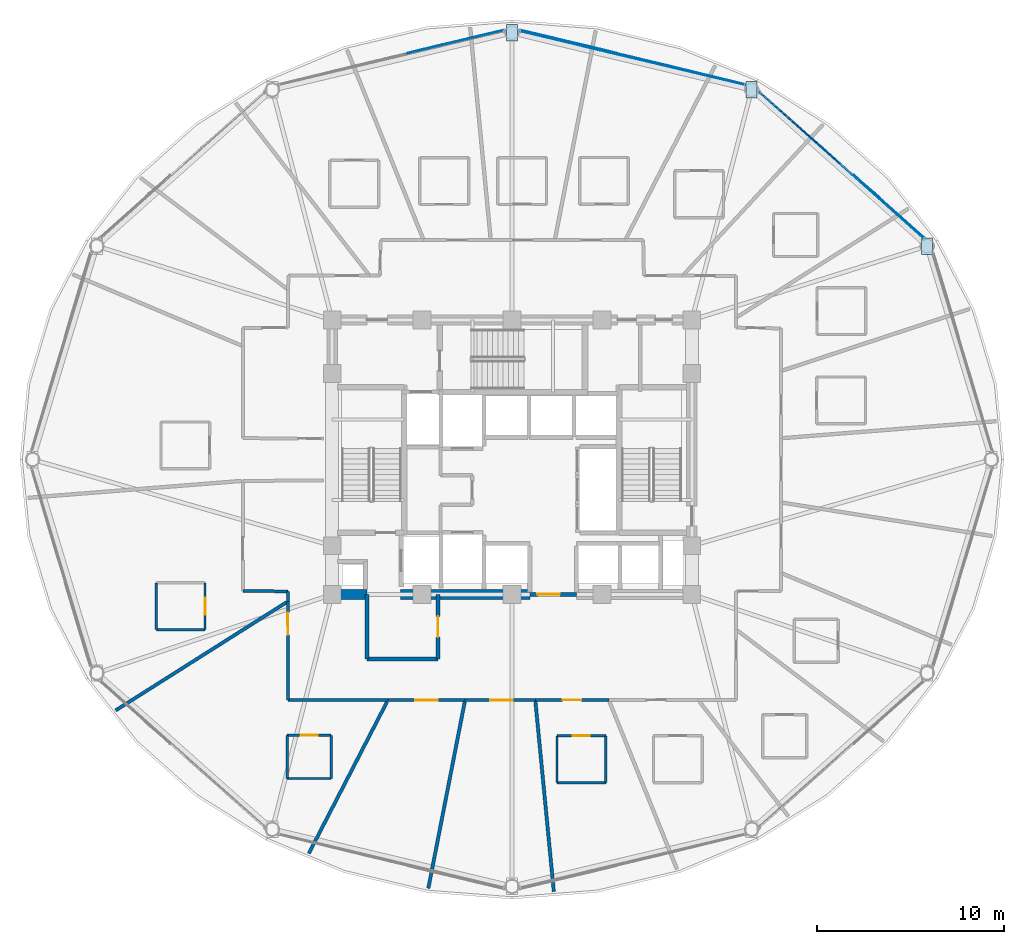
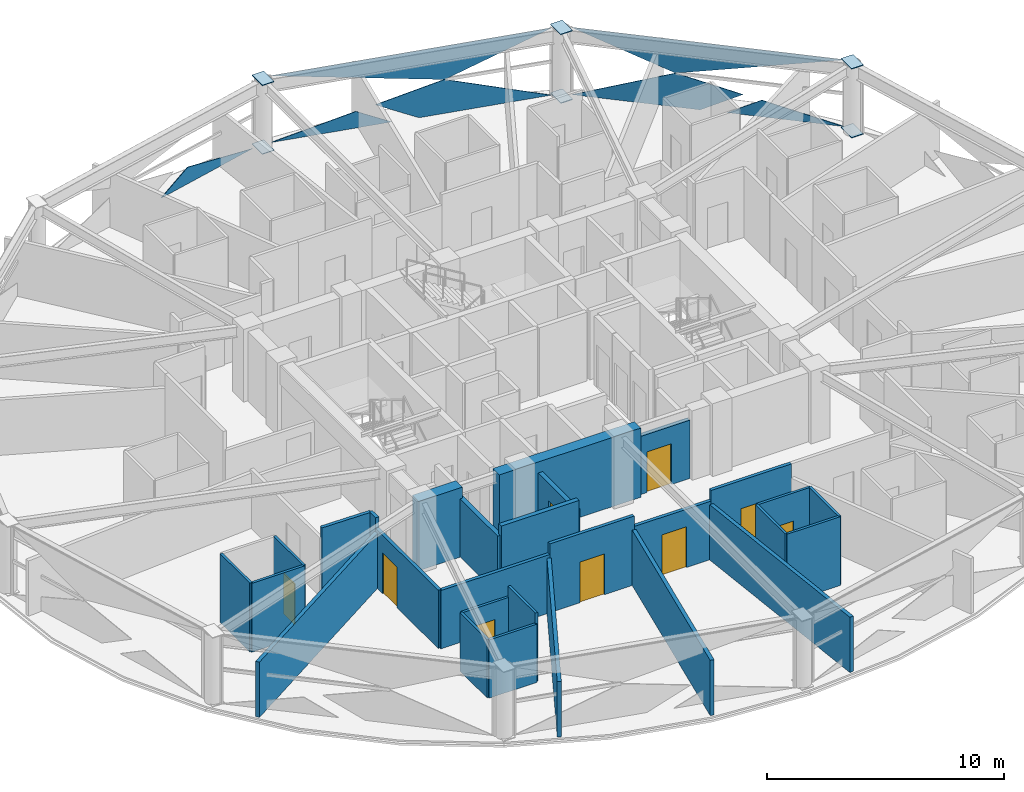
# One storey, part 24 of 32: 28 walls, 13 plates, 9 doors, 9 openings, 3 elements without a shape of their own.
"""IFC4 building model written with IfcOpenShell, lengths in metres."""

from ifc_helpers import new_model, si_unit, direction, frame, frame_2d, origin, place, context, subcontext, project, spatial, polyline, rectangle, outline, extrude, material, layer, layer_set, type_object, element, fill, aggregate, save


model = new_model("IFC4")

# Units and contexts
model_context = context("Model", 3, precision=1e-05, world=origin(), true_north=direction((0.0, 1.0)))
body_context = subcontext(model_context, "Body", "Model", "MODEL_VIEW")
ifc_project = project(units=[si_unit("LENGTHUNIT", "METRE"), si_unit("AREAUNIT", "SQUARE_METRE"), si_unit("VOLUMEUNIT", "CUBIC_METRE"), si_unit("PLANEANGLEUNIT", "RADIAN"), si_unit("MASSUNIT", "GRAM", prefix="KILO")], contexts=[model_context])

# Site, building, storey
site_placement = place(None, origin())
site = spatial("IfcSite", under=ifc_project, at=site_placement, CompositionType="ELEMENT")
building_placement = place(site_placement, origin())
building = spatial("IfcBuilding", under=site, at=building_placement, Name="Vantalir Tower", CompositionType="ELEMENT")
storey_placement = place(building_placement, frame((0.0, 0.0, 108.449951171875)))
storey = spatial("IfcBuildingStorey", under=building, at=storey_placement, Name="L26", CompositionType="ELEMENT", Elevation=108.449951171875)

# Curtain wall, plates
ifc_material_1 = material(Name="Champagne-silver PVDF aluminium and double-silver Low-E glass", Category="aluminium")
ifc_layer_1 = layer(ifc_material_1, 0.199951171875)
ifc_layer_set_1 = layer_set([ifc_layer_1], Name="Champagne-silver PVDF aluminium and double-silver Low-E glass")
curtain_wall_type = type_object("IfcCurtainWallType", Name="CW-DIAMOND-Z2", PredefinedType="USERDEFINED", material=ifc_layer_set_1)
curtain_wall_1_placement = place(storey_placement, origin())
curtain_wall_1 = element("IfcCurtainWall", 1, at=curtain_wall_1_placement, inside=storey, type_object=curtain_wall_type, Name="L26 Quilted Pyramid-Diamond Curtain Wall S02", ObjectType="UNITISED CURTAIN WALL", PredefinedType="USERDEFINED")
ifc_material_2 = material(Name="Double-silver Low-E laminated glass IGU", Category="glass")
ifc_layer_2 = layer(ifc_material_2, 0.028076171875)
ifc_layer_set_2 = layer_set([ifc_layer_2], Name="Double-silver Low-E laminated glass IGU")
plate_type_1 = type_object("IfcPlateType", Name="CWP-IGU-28", PredefinedType="CURTAIN_PANEL", material=ifc_layer_set_2)
plate_1_placement = place(storey_placement, frame((48.85498046875, 40.918701171875, 0.046630859375), z_axis=(-0.665360091783, -0.74639648359, 0.013719968929), x_axis=(-0.746466739083, 0.665422728378, 4.76215e-07)))
plate_1 = element("IfcPlate", 2, at=plate_1_placement, type_object=plate_type_1, Name="CW-L26-S02 Pyramid Diamond Facet 1L", PredefinedType="CURTAIN_PANEL", context=body_context, shape_type="SweptSolid", body=[
    extrude(outline(polyline([(0.0, 0.0), (5.5281666248014485, 0.0), (1.0634677225929112, -1.726968682009941), (-1.833063867424482, -1.038431324138312), (0.0, 0.0)])), origin(), (0.0, 0.0, -1.0), 0.028076171875),
])
plate_2_placement = place(storey_placement, frame((53.505615234375, 36.815673828125, 0.0458984375), z_axis=(-0.665386826305, -0.746372088611, 0.013750517136), x_axis=(-0.746442215785, 0.66545023567, 4.8382306e-05)))
plate_2 = element("IfcPlate", 3, at=plate_2_placement, type_object=plate_type_1, Name="CW-L26-S02 Pyramid Diamond Facet 1L Infill Light", PredefinedType="CURTAIN_PANEL", context=body_context, shape_type="SweptSolid", body=[
    extrude(outline(polyline([(0.0, 0.0), (5.0460725329387595, -1.2739375526704677e-17), (3.5545540510403315, -0.8448786038065937), (0.0, 0.0)])), origin(), (0.0, 0.0, -1.0), 0.028076171875),
])
plate_3_placement = place(storey_placement, frame((44.728515625, 44.597412109375, 3.5234375), z_axis=(0.665380669575, 0.746378894422, 0.013678834638), x_axis=(0.746448542261, -0.665443140564, 2.081331e-05)))
plate_3 = element("IfcPlate", 4, at=plate_3_placement, type_object=plate_type_1, Name="CW-L26-S02 Pyramid Diamond Facet 2U", PredefinedType="CURTAIN_PANEL", context=body_context, shape_type="SweptSolid", body=[
    extrude(outline(polyline([(0.0, 0.0), (11.730024079727377, -8.131516293641283e-19), (4.464663138664101, 1.7270611486271994), (0.0, 0.0)])), origin(), (0.0, 0.0, -1.0), 0.028076171875),
])
aggregate(curtain_wall_1, [plate_1, plate_2, plate_3])

curtain_wall_2_placement = place(storey_placement, origin())
curtain_wall_2 = element("IfcCurtainWall", 5, at=curtain_wall_2_placement, inside=storey, type_object=curtain_wall_type, Name="L26 Quilted Pyramid-Diamond Curtain Wall S03", ObjectType="UNITISED CURTAIN WALL", PredefinedType="USERDEFINED")
plate_4_placement = place(storey_placement, frame((43.946533203125, 45.005615234375, 0.046630859375), z_axis=(-0.23226145052, -0.972558044793, 0.013618667742), x_axis=(-0.972648377803, 0.232282438885, -4.174218e-05)))
plate_4 = element("IfcPlate", 6, at=plate_4_placement, type_object=plate_type_1, Name="CW-L26-S03 Pyramid Diamond Facet 1L", PredefinedType="CURTAIN_PANEL", context=body_context, shape_type="SweptSolid", body=[
    extrude(outline(polyline([(0.0, 0.0), (5.82461301879064, -4.30970363562988e-18), (7.74586519741494, -1.0380172504692702), (4.692850625437088, -1.727407878116454), (0.0, 0.0)])), origin(), (0.0, 0.0, -1.0), 0.028076171875),
])
plate_5_placement = place(storey_placement, frame((37.1240234375, 46.667724609375, 0.0458984375), z_axis=(-0.232295294246, -0.972547248314, 0.013811084997), x_axis=(-0.972640016367, 0.232317452123, 0.0)))
plate_5 = element("IfcPlate", 7, at=plate_5_placement, type_object=plate_type_1, Name="CW-L26-S03 Pyramid Diamond Facet 1L Infill Light", PredefinedType="CURTAIN_PANEL", context=body_context, shape_type="SweptSolid", body=[
    extrude(outline(polyline([(0.0, 0.0), (5.319616896855435, 0.0), (1.5683330910401547, -0.8472487772904425), (0.0, 0.0)])), origin(), (0.0, 0.0, -1.0), 0.028076171875),
])
plate_6_placement = place(storey_placement, frame((31.942626953125, 47.872314453125, 3.523681640625), z_axis=(0.232260523189, 0.972557634169, 0.013663732563), x_axis=(0.972648496566, -0.23228194449, -1.9782145e-05)))
plate_6 = element("IfcPlate", 8, at=plate_6_placement, type_object=plate_type_1, Name="CW-L26-S03 Pyramid Diamond Facet 2U", PredefinedType="CURTAIN_PANEL", context=body_context, shape_type="SweptSolid", body=[
    extrude(outline(polyline([(0.0, 0.0), (12.341463840613704, 1.2197274440461925e-18), (7.648575297909645, 1.7273048663411104), (0.0, 0.0)])), origin(), (0.0, 0.0, -1.0), 0.028076171875),
])
aggregate(curtain_wall_2, [plate_4, plate_5, plate_6])

# Curtain wall, plate
curtain_wall_3_placement = place(storey_placement, origin())
curtain_wall_3 = element("IfcCurtainWall", 9, at=curtain_wall_3_placement, inside=storey, type_object=curtain_wall_type, Name="L26 Quilted Pyramid-Diamond Curtain Wall S04", ObjectType="UNITISED CURTAIN WALL", PredefinedType="USERDEFINED")
plate_7_placement = place(storey_placement, frame((31.050048828125, 47.903564453125, 0.0458984375), z_axis=(0.232295294246, -0.972547248314, 0.013811084997), x_axis=(-0.972640016367, -0.232317452123, 0.0)))
plate_7 = element("IfcPlate", 10, at=plate_7_placement, type_object=plate_type_1, Name="CW-L26-S04 Pyramid Diamond Facet 1L Infill Light", PredefinedType="CURTAIN_PANEL", context=body_context, shape_type="SweptSolid", body=[
    extrude(outline(polyline([(0.0, 0.0), (5.319616896855435, 0.0), (3.75128380581528, -0.8472487772904425), (0.0, 0.0)])), origin(), (0.0, 0.0, -1.0), 0.028076171875),
])
aggregate(curtain_wall_3, [plate_7])

# Plates
ifc_material_3 = material(Name="Steel S460", Category="steel")
ifc_layer_3 = layer(ifc_material_3, 0.035888671875)
ifc_layer_set_3 = layer_set([ifc_layer_3], Name="Steel S460")
plate_type_2 = type_object("IfcPlateType", Name="PLT-KN-Z2", PredefinedType="USERDEFINED", material=ifc_layer_set_3)
for number, where, z_axis, x_axis, name in (
    (11, (53.3701171875, 36.833984375, 3.59814453125), (0.0, 0.0, 1.0), (0.0, -1.0, 0.0), "L26 Ring Column Top Cap RC02"),
    (12, (53.3701171875, 36.833984375, 0.052978515625), (0.0, 0.0, 1.0), (0.0, -1.0, 0.0), "L26 Ring Column Base Cap RC02"),
):
    element("IfcPlate", number, at=place(storey_placement, frame(where, z_axis=z_axis, x_axis=x_axis)), inside=storey, type_object=plate_type_2, Name=name, ObjectType="FLANGE_PLATE", PredefinedType="USERDEFINED", context=body_context, shape_type="SweptSolid", body=[
        extrude(outline(polyline([(0.0, 0.0), (0.8798828125, 0.0), (0.8798828125, 0.579833984375), (0.0, 0.579833984375), (0.0, 0.0)])), origin(), (0.0, 0.0, -1.0), 0.035888671875),
    ])
for number, where, z_axis, x_axis, name in (
    (13, (44.00390625, 45.175048828125, 3.59814453125), (0.0, 0.0, 1.0), (0.0, -1.0, 0.0), "L26 Ring Column Top Cap RC03"),
    (14, (44.00390625, 45.175048828125, 0.052978515625), (0.0, 0.0, 1.0), (0.0, -1.0, 0.0), "L26 Ring Column Base Cap RC03"),
    (15, (31.2099609375, 48.22802734375, 3.59814453125), (0.0, 0.0, 1.0), (0.0, -1.0, 0.0), "L26 Ring Column Top Cap RC04"),
    (16, (31.2099609375, 48.22802734375, 0.052978515625), (0.0, 0.0, 1.0), (0.0, -1.0, 0.0), "L26 Ring Column Base Cap RC04"),
):
    element("IfcPlate", number, at=place(storey_placement, frame(where, z_axis=z_axis, x_axis=x_axis)), inside=storey, type_object=plate_type_2, Name=name, ObjectType="FLANGE_PLATE", PredefinedType="USERDEFINED", context=body_context, shape_type="SweptSolid", body=[
        extrude(outline(polyline([(0.0, 0.0), (0.880126953125, 0.0), (0.880126953125, 0.580078125), (0.0, 0.580078125), (0.0, 0.0)])), origin(), (0.0, 0.0, -1.0), 0.035888671875),
    ])

# Walls
ifc_material_4 = material(Name="Moisture-resistant en-suite partition", Category="gypsum")
ifc_layer_4 = layer(ifc_material_4, 0.125)
ifc_layer_set_4 = layer_set([ifc_layer_4], Name="Moisture-resistant en-suite partition")
wall_type_1 = type_object("IfcWallType", Name="WL-BATH-125", PredefinedType="PARTITIONING", material=ifc_layer_set_4)
wall_1_placement = place(storey_placement, frame((12.513916015625, 15.9208984375, 0.0), z_axis=(0.0, 0.0, 1.0), x_axis=(1.0, 0.0, 0.0)))
element("IfcWall", 17, at=wall_1_placement, inside=storey, type_object=wall_type_1, Name="L26 En-suite 12 South Wall", PredefinedType="PARTITIONING", context=body_context, shape_type="SweptSolid", body=[
    extrude(rectangle(XDim=2.60009765625, YDim=0.125, at=frame_2d((1.300048828125, 0.0))), origin(), (0.0, 0.0, 1.0), 3.550048828125),
])
wall_2_placement = place(storey_placement, frame((12.513916015625, 15.9208984375, 0.0), z_axis=(0.0, 0.0, 1.0), x_axis=(0.0, 1.0, 0.0)))
element("IfcWall", 18, at=wall_2_placement, inside=storey, type_object=wall_type_1, Name="L26 En-suite 12 West Wall", PredefinedType="PARTITIONING", context=body_context, shape_type="SweptSolid", body=[
    extrude(rectangle(XDim=2.5, YDim=0.125, at=frame_2d((1.25, 0.0))), origin(), (0.0, 0.0, 1.0), 3.550048828125),
])

# Wall, opening, door
wall_3_placement = place(storey_placement, frame((15.114013671875, 15.9208984375, 0.0), z_axis=(0.0, 0.0, 1.0), x_axis=(0.0, 1.0, 0.0)))
wall_3 = element("IfcWall", 19, at=wall_3_placement, inside=storey, type_object=wall_type_1, Name="L26 En-suite 12 East Wall", PredefinedType="PARTITIONING", context=body_context, shape_type="SweptSolid", body=[
    extrude(rectangle(XDim=2.5, YDim=0.125, at=frame_2d((1.25, 0.0))), origin(), (0.0, 0.0, 1.0), 3.550048828125),
])
opening_1_placement = place(wall_3_placement, frame((0.800048828125, 0.0, 0.0)))
opening_1 = element("IfcOpeningElement", 20, at=opening_1_placement, cuts=wall_3, Name="Opening D-WC", PredefinedType="OPENING", context=body_context, shape_type="SweptSolid", body=[
    extrude(rectangle(XDim=0.89990234375, YDim=2.10009765625, at=frame_2d((0.449951171875, 1.050048828125))), frame((0.0, 0.072509765625, 0.0), z_axis=(0.0, -1.0, 0.0), x_axis=(1.0, 0.0, 0.0)), (0.0, 0.0, 1.0), 0.14501953125),
])
ifc_material_5 = material(Name="Moisture-resistant hardwood door", Category="wood")
door_type_1 = type_object("IfcDoorType", Name="DR-ENSUITE-900", OperationType="NOTDEFINED", PredefinedType="DOOR", material=ifc_material_5)
door_1_placement = place(opening_1_placement, origin())
door_1 = element("IfcDoor", 21, at=door_1_placement, inside=storey, type_object=door_type_1, Name="L26 En-suite 12 Door", OperationType="SINGLE_SWING_LEFT", OverallHeight=2.10009765625, OverallWidth=0.89990234375, PredefinedType="DOOR", context=body_context, shape_type="SweptSolid", body=[
    extrude(rectangle(XDim=0.89990234375, YDim=2.10009765625, at=frame_2d((0.449951171875, 1.050048828125))), frame((0.0, 0.02490234375, 0.0), z_axis=(0.0, -1.0, 0.0), x_axis=(1.0, 0.0, 0.0)), (0.0, 0.0, 1.0), 0.050048828125),
])
fill(opening_1, door_1)

# Wall
wall_4_placement = place(storey_placement, frame((19.5, 7.97509765625, 0.0), z_axis=(0.0, 0.0, 1.0), x_axis=(1.0, 0.0, 0.0)))
element("IfcWall", 22, at=wall_4_placement, inside=storey, type_object=wall_type_1, Name="L26 En-suite 13 South Wall", PredefinedType="PARTITIONING", context=body_context, shape_type="SweptSolid", body=[
    extrude(rectangle(XDim=2.35009765625, YDim=0.125, at=frame_2d((1.175048828125, 0.0))), origin(), (0.0, 0.0, 1.0), 3.006103515625),
])

# Wall, opening, door
wall_5_placement = place(storey_placement, frame((19.5, 10.27490234375, 0.0), z_axis=(0.0, 0.0, 1.0), x_axis=(1.0, 0.0, 0.0)))
wall_5 = element("IfcWall", 23, at=wall_5_placement, inside=storey, type_object=wall_type_1, Name="L26 En-suite 13 North Wall", PredefinedType="PARTITIONING", context=body_context, shape_type="SweptSolid", body=[
    extrude(rectangle(XDim=2.35009765625, YDim=0.125, at=frame_2d((1.175048828125, 0.0))), origin(), (0.0, 0.0, 1.0), 3.006103515625),
])
opening_2_placement = place(wall_5_placement, frame((0.72509765625, 0.0, 0.0)))
opening_2 = element("IfcOpeningElement", 24, at=opening_2_placement, cuts=wall_5, Name="Opening D-WC", PredefinedType="OPENING", context=body_context, shape_type="SweptSolid", body=[
    extrude(rectangle(XDim=0.89990234375, YDim=2.10009765625, at=frame_2d((0.449951171875, 1.050048828125))), frame((0.0, 0.072509765625, 0.0), z_axis=(0.0, -1.0, 0.0), x_axis=(1.0, 0.0, 0.0)), (0.0, 0.0, 1.0), 0.14501953125),
])
door_2_placement = place(opening_2_placement, frame((0.89990234375, 0.0, 0.0), z_axis=(0.0, 0.0, 1.0), x_axis=(-1.0, 0.0, 0.0)))
door_2 = element("IfcDoor", 25, at=door_2_placement, inside=storey, type_object=door_type_1, Name="L26 En-suite 13 Door", OperationType="SINGLE_SWING_RIGHT", OverallHeight=2.10009765625, OverallWidth=0.89990234375, PredefinedType="DOOR", context=body_context, shape_type="SweptSolid", body=[
    extrude(rectangle(XDim=0.89990234375, YDim=2.10009765625, at=frame_2d((0.449951171875, 1.050048828125))), frame((0.0, 0.02490234375, 0.0), z_axis=(0.0, -1.0, 0.0), x_axis=(1.0, 0.0, 0.0)), (0.0, 0.0, 1.0), 0.050048828125),
])
fill(opening_2, door_2)

# Walls
wall_6_placement = place(storey_placement, frame((19.5, 7.97509765625, 0.0), z_axis=(0.0, 0.0, 1.0), x_axis=(0.0, 1.0, 0.0)))
element("IfcWall", 26, at=wall_6_placement, inside=storey, type_object=wall_type_1, Name="L26 En-suite 13 West Wall", PredefinedType="PARTITIONING", context=body_context, shape_type="SweptSolid", body=[
    extrude(rectangle(XDim=2.2998046875, YDim=0.125, at=frame_2d((1.14990234375, 0.0))), origin(), (0.0, 0.0, 1.0), 3.006103515625),
])
wall_7_placement = place(storey_placement, frame((21.85009765625, 7.97509765625, 0.0), z_axis=(0.0, 0.0, 1.0), x_axis=(0.0, 1.0, 0.0)))
element("IfcWall", 27, at=wall_7_placement, inside=storey, type_object=wall_type_1, Name="L26 En-suite 13 East Wall", PredefinedType="PARTITIONING", context=body_context, shape_type="SweptSolid", body=[
    extrude(rectangle(XDim=2.2998046875, YDim=0.125, at=frame_2d((1.14990234375, 0.0))), origin(), (0.0, 0.0, 1.0), 3.550048828125),
])
wall_8_placement = place(storey_placement, frame((33.905029296875, 7.7490234375, 0.0), z_axis=(0.0, 0.0, 1.0), x_axis=(1.0, 0.0, 0.0)))
element("IfcWall", 28, at=wall_8_placement, inside=storey, type_object=wall_type_1, Name="L26 En-suite 16 South Wall", PredefinedType="PARTITIONING", context=body_context, shape_type="SweptSolid", body=[
    extrude(rectangle(XDim=2.599853515625, YDim=0.125, at=frame_2d((1.2998046875, 0.0))), origin(), (0.0, 0.0, 1.0), 3.550048828125),
])

# Wall, opening, door
wall_9_placement = place(storey_placement, frame((33.905029296875, 10.2490234375, 0.0), z_axis=(0.0, 0.0, 1.0), x_axis=(1.0, 0.0, 0.0)))
wall_9 = element("IfcWall", 29, at=wall_9_placement, inside=storey, type_object=wall_type_1, Name="L26 En-suite 16 North Wall", PredefinedType="PARTITIONING", context=body_context, shape_type="SweptSolid", body=[
    extrude(rectangle(XDim=2.599853515625, YDim=0.125, at=frame_2d((1.2998046875, 0.0))), origin(), (0.0, 0.0, 1.0), 3.550048828125),
])
opening_3_placement = place(wall_9_placement, frame((0.85009765625, 0.0, 0.0)))
opening_3 = element("IfcOpeningElement", 30, at=opening_3_placement, cuts=wall_9, Name="Opening D-WC", PredefinedType="OPENING", context=body_context, shape_type="SweptSolid", body=[
    extrude(rectangle(XDim=0.89990234375, YDim=2.10009765625, at=frame_2d((0.449951171875, 1.050048828125))), frame((0.0, 0.072509765625, 0.0), z_axis=(0.0, -1.0, 0.0), x_axis=(1.0, 0.0, 0.0)), (0.0, 0.0, 1.0), 0.14501953125),
])
door_3_placement = place(opening_3_placement, frame((0.89990234375, 0.0, 0.0), z_axis=(0.0, 0.0, 1.0), x_axis=(-1.0, 0.0, 0.0)))
door_3 = element("IfcDoor", 31, at=door_3_placement, inside=storey, type_object=door_type_1, Name="L26 En-suite 16 Door", OperationType="SINGLE_SWING_LEFT", OverallHeight=2.10009765625, OverallWidth=0.89990234375, PredefinedType="DOOR", context=body_context, shape_type="SweptSolid", body=[
    extrude(rectangle(XDim=0.89990234375, YDim=2.10009765625, at=frame_2d((0.449951171875, 1.050048828125))), frame((0.0, 0.02490234375, 0.0), z_axis=(0.0, -1.0, 0.0), x_axis=(1.0, 0.0, 0.0)), (0.0, 0.0, 1.0), 0.050048828125),
])
fill(opening_3, door_3)

# Walls
for number, where, z_axis, x_axis, name in (
    (32, (33.905029296875, 7.7490234375, 0.0), (0.0, 0.0, 1.0), (0.0, 1.0, 0.0), "L26 En-suite 16 West Wall"),
    (33, (36.5048828125, 7.7490234375, 0.0), (0.0, 0.0, 1.0), (0.0, 1.0, 0.0), "L26 En-suite 16 East Wall"),
):
    element("IfcWall", number, at=place(storey_placement, frame(where, z_axis=z_axis, x_axis=x_axis)), inside=storey, type_object=wall_type_1, Name=name, PredefinedType="PARTITIONING", context=body_context, shape_type="SweptSolid", body=[
        extrude(rectangle(XDim=2.5, YDim=0.125, at=frame_2d((1.25, 0.0))), origin(), (0.0, 0.0, 1.0), 3.550048828125),
    ])
ifc_material_6 = material(Name="Concrete C60/75", Category="concrete")
ifc_layer_5 = layer(ifc_material_6, 0.550048828125)
ifc_layer_set_5 = layer_set([ifc_layer_5], Name="Concrete C60/75")
wall_type_2 = type_object("IfcWallType", Name="WL-CORE-550", PredefinedType="SHEAR", material=ifc_layer_set_5)
wall_10_placement = place(storey_placement, frame((21.625, 17.800048828125, 0.0), z_axis=(0.0, 0.0, 1.0), x_axis=(1.0, 0.0, 0.0)))
element("IfcWall", 34, at=wall_10_placement, inside=storey, type_object=wall_type_2, Name="L26 Core Shear Wall South-West", PredefinedType="SHEAR", context=body_context, shape_type="SweptSolid", body=[
    extrude(rectangle(XDim=2.125, YDim=0.550048828125, at=frame_2d((1.0625, 0.0))), origin(), (0.0, 0.0, 1.0), 3.570068359375),
])
wall_11_placement = place(storey_placement, frame((25.550048828125, 17.800048828125, 0.0), z_axis=(0.0, 0.0, 1.0), x_axis=(1.0, 0.0, 0.0)))
element("IfcWall", 35, at=wall_11_placement, inside=storey, type_object=wall_type_2, Name="L26 Core Shear Wall South-Mid", PredefinedType="SHEAR", context=body_context, shape_type="SweptSolid", body=[
    extrude(rectangle(XDim=6.89990234375, YDim=0.550048828125, at=frame_2d((3.449951171875, 0.0))), origin(), (0.0, 0.0, 1.0), 3.570068359375),
])

# Wall, opening, door
ifc_material_7 = material(Name="Fire-rated hotel corridor acoustic partition", Category="gypsum")
ifc_layer_6 = layer(ifc_material_7, 0.159912109375)
ifc_layer_set_6 = layer_set([ifc_layer_6], Name="Fire-rated hotel corridor acoustic partition")
wall_type_3 = type_object("IfcWallType", Name="WL-CORR-160", PredefinedType="PARTITIONING", material=ifc_layer_set_6)
wall_12_placement = place(storey_placement, frame((36.66796875, 12.1650390625, 0.0), z_axis=(0.0, 0.0, 1.0), x_axis=(-0.999999876195, -0.000497605213, 0.0)))
wall_12 = element("IfcWall", 36, at=wall_12_placement, inside=storey, type_object=wall_type_3, Name="L26 Corridor Partition 31", PredefinedType="PARTITIONING", context=body_context, shape_type="SweptSolid", body=[
    extrude(rectangle(XDim=3.925048828125, YDim=0.159912109375, at=frame_2d((1.96240234375, 0.0))), origin(), (0.0, 0.0, 1.0), 3.550048828125),
])
opening_4_placement = place(wall_12_placement, frame((1.462890625, 0.0, 0.0)))
opening_4 = element("IfcOpeningElement", 37, at=opening_4_placement, cuts=wall_12, Name="Opening D-GUEST", PredefinedType="OPENING", context=body_context, shape_type="SweptSolid", body=[
    extrude(rectangle(XDim=1.0, YDim=2.10009765625, at=frame_2d((0.5, 1.050048828125))), frame((0.0, 0.08984375, 0.0), z_axis=(0.0, -1.0, 0.0), x_axis=(1.0, 0.0, 0.0)), (0.0, 0.0, 1.0), 0.179931640625),
])
ifc_material_8 = material(Name="Solid-core teak veneer acoustic fire door", Category="wood")
door_type_2 = type_object("IfcDoorType", Name="DR-GUEST-ENTRY-1000", OperationType="NOTDEFINED", PredefinedType="DOOR", material=ifc_material_8)
door_4_placement = place(opening_4_placement, origin())
door_4 = element("IfcDoor", 38, at=door_4_placement, inside=storey, type_object=door_type_2, Name="L26 Deluxe King Hotel Room 16 Door", OperationType="SINGLE_SWING_LEFT", OverallHeight=2.10009765625, OverallWidth=1.0, PredefinedType="DOOR", context=body_context, shape_type="SweptSolid", body=[
    extrude(rectangle(XDim=1.0, YDim=2.10009765625, at=frame_2d((0.5, 1.050048828125))), frame((0.0, 0.02490234375, 0.0), z_axis=(0.0, -1.0, 0.0), x_axis=(1.0, 0.0, 0.0)), (0.0, 0.0, 1.0), 0.050048828125),
])
fill(opening_4, door_4)

wall_13_placement = place(storey_placement, frame((32.742919921875, 12.1630859375, 0.0), z_axis=(0.0, 0.0, 1.0), x_axis=(-0.999999828137, -0.000586280923, 0.0)))
wall_13 = element("IfcWall", 39, at=wall_13_placement, inside=storey, type_object=wall_type_3, Name="L26 Corridor Partition 32", PredefinedType="PARTITIONING", context=body_context, shape_type="SweptSolid", body=[
    extrude(rectangle(XDim=3.747802734375, YDim=0.159912109375, at=frame_2d((1.8740234375, 0.0))), origin(), (0.0, 0.0, 1.0), 3.006103515625),
])
opening_5_placement = place(wall_13_placement, frame((1.199951171875, 0.0, 0.0)))
opening_5 = element("IfcOpeningElement", 40, at=opening_5_placement, cuts=wall_13, Name="Opening D-STE", PredefinedType="OPENING", context=body_context, shape_type="SweptSolid", body=[
    extrude(rectangle(XDim=1.199951171875, YDim=2.10009765625, at=frame_2d((0.60009765625, 1.050048828125))), frame((0.0, 0.08984375, 0.0), z_axis=(0.0, -1.0, 0.0), x_axis=(1.0, 0.0, 0.0)), (0.0, 0.0, 1.0), 0.179931640625),
])
ifc_material_9 = material(Name="Solid-core teak veneer suite entrance door", Category="wood")
door_type_3 = type_object("IfcDoorType", Name="DR-SUITE-ENTRY-1200", OperationType="NOTDEFINED", PredefinedType="DOOR", material=ifc_material_9)
door_5_placement = place(opening_5_placement, origin())
door_5 = element("IfcDoor", 41, at=door_5_placement, inside=storey, type_object=door_type_3, Name="L26 Executive Sky Boardroom 15 Door", OperationType="SINGLE_SWING_RIGHT", OverallHeight=2.10009765625, OverallWidth=1.199951171875, PredefinedType="DOOR", context=body_context, shape_type="SweptSolid", body=[
    extrude(rectangle(XDim=1.199951171875, YDim=2.10009765625, at=frame_2d((0.60009765625, 1.050048828125))), frame((0.0, 0.02490234375, 0.0), z_axis=(0.0, -1.0, 0.0), x_axis=(1.0, 0.0, 0.0)), (0.0, 0.0, 1.0), 0.050048828125),
])
fill(opening_5, door_5)

wall_14_placement = place(storey_placement, frame((28.9951171875, 12.160888671875, 0.0), z_axis=(0.0, 0.0, 1.0), x_axis=(-0.999999887587, -0.000474158316, 0.0)))
wall_14 = element("IfcWall", 42, at=wall_14_placement, inside=storey, type_object=wall_type_3, Name="L26 Corridor Partition 33", PredefinedType="PARTITIONING", context=body_context, shape_type="SweptSolid", body=[
    extrude(rectangle(XDim=4.119140625, YDim=0.159912109375, at=frame_2d((2.0595703125, 0.0))), origin(), (0.0, 0.0, 1.0), 3.550048828125),
])
opening_6_placement = place(wall_14_placement, frame((1.4599609375, 0.0, 0.0)))
opening_6 = element("IfcOpeningElement", 43, at=opening_6_placement, cuts=wall_14, Name="Opening D-STE", PredefinedType="OPENING", context=body_context, shape_type="SweptSolid", body=[
    extrude(rectangle(XDim=1.199951171875, YDim=2.10009765625, at=frame_2d((0.60009765625, 1.050048828125))), frame((0.0, 0.08984375, 0.0), z_axis=(0.0, -1.0, 0.0), x_axis=(1.0, 0.0, 0.0)), (0.0, 0.0, 1.0), 0.179931640625),
])
door_6_placement = place(opening_6_placement, origin())
door_6 = element("IfcDoor", 44, at=door_6_placement, inside=storey, type_object=door_type_3, Name="L26 Club Reading Lounge 14 Door", OperationType="SINGLE_SWING_LEFT", OverallHeight=2.10009765625, OverallWidth=1.199951171875, PredefinedType="DOOR", context=body_context, shape_type="SweptSolid", body=[
    extrude(rectangle(XDim=1.199951171875, YDim=2.10009765625, at=frame_2d((0.60009765625, 1.050048828125))), frame((0.0, 0.02490234375, 0.0), z_axis=(0.0, -1.0, 0.0), x_axis=(1.0, 0.0, 0.0)), (0.0, 0.0, 1.0), 0.050048828125),
])
fill(opening_6, door_6)

# Wall
wall_15_placement = place(storey_placement, frame((24.8759765625, 12.158935546875, 0.0), z_axis=(0.0, 0.0, 1.0), x_axis=(-0.999999932684, -0.000366921959, 0.0)))
element("IfcWall", 45, at=wall_15_placement, inside=storey, type_object=wall_type_3, Name="L26 Corridor Partition 34", PredefinedType="PARTITIONING", context=body_context, shape_type="SweptSolid", body=[
    extrude(rectangle(XDim=5.322998046875, YDim=0.159912109375, at=frame_2d((2.66162109375, 0.0))), origin(), (0.0, 0.0, 1.0), 3.006103515625),
])

# Wall, opening, door
wall_16_placement = place(storey_placement, frame((19.552978515625, 12.156982421875, 0.0), z_axis=(0.0, 0.0, 1.0), x_axis=(-0.003010639436, 0.999995468015, 0.0)))
wall_16 = element("IfcWall", 46, at=wall_16_placement, inside=storey, type_object=wall_type_3, Name="L26 Corridor Partition 35", PredefinedType="PARTITIONING", context=body_context, shape_type="SweptSolid", body=[
    extrude(rectangle(XDim=5.27099609375, YDim=0.159912109375, at=frame_2d((2.635498046875, 0.0))), origin(), (0.0, 0.0, 1.0), 3.006103515625),
])
opening_7_placement = place(wall_16_placement, frame((3.47802734375, 0.0, 0.0)))
opening_7 = element("IfcOpeningElement", 47, at=opening_7_placement, cuts=wall_16, Name="Opening D-STE", PredefinedType="OPENING", context=body_context, shape_type="SweptSolid", body=[
    extrude(rectangle(XDim=1.199951171875, YDim=2.10009765625, at=frame_2d((0.60009765625, 1.050048828125))), frame((0.0, 0.08984375, 0.0), z_axis=(0.0, -1.0, 0.0), x_axis=(1.0, 0.0, 0.0)), (0.0, 0.0, 1.0), 0.179931640625),
])
door_7_placement = place(opening_7_placement, origin())
door_7 = element("IfcDoor", 48, at=door_7_placement, inside=storey, type_object=door_type_3, Name="L26 Executive Club Hotel Suite 13 Door", OperationType="SINGLE_SWING_RIGHT", OverallHeight=2.10009765625, OverallWidth=1.199951171875, PredefinedType="DOOR", context=body_context, shape_type="SweptSolid", body=[
    extrude(rectangle(XDim=1.199951171875, YDim=2.10009765625, at=frame_2d((0.60009765625, 1.050048828125))), frame((0.0, 0.02490234375, 0.0), z_axis=(0.0, -1.0, 0.0), x_axis=(1.0, 0.0, 0.0)), (0.0, 0.0, 1.0), 0.050048828125),
])
fill(opening_7, door_7)

# Walls
wall_17_placement = place(storey_placement, frame((19.537109375, 17.427978515625, 0.0), z_axis=(0.0, 0.0, 1.0), x_axis=(-0.004130299785, 0.999991470275, 0.0)))
element("IfcWall", 49, at=wall_17_placement, inside=storey, type_object=wall_type_3, Name="L26 Corridor Partition 36", PredefinedType="PARTITIONING", context=body_context, shape_type="SweptSolid", body=[
    extrude(rectangle(XDim=0.531982421875, YDim=0.159912109375, at=frame_2d((0.26611328125, 0.0))), origin(), (0.0, 0.0, 1.0), 3.550048828125),
])
wall_18_placement = place(storey_placement, frame((19.534912109375, 17.9599609375, 0.0), z_axis=(0.0, 0.0, 1.0), x_axis=(-0.999911141048, 0.013330791724, 0.0)))
element("IfcWall", 50, at=wall_18_placement, inside=storey, type_object=wall_type_3, Name="L26 Corridor Partition 37", PredefinedType="PARTITIONING", context=body_context, shape_type="SweptSolid", body=[
    extrude(rectangle(XDim=2.399169921875, YDim=0.159912109375, at=frame_2d((1.19970703125, 0.0))), origin(), (0.0, 0.0, 1.0), 3.550048828125),
])

# Wall, opening, door
ifc_material_10 = material(Name="Concrete blockwork with fireboard lining", Category="masonry")
ifc_layer_7 = layer(ifc_material_10, 0.219970703125)
ifc_layer_set_7 = layer_set([ifc_layer_7], Name="Concrete blockwork with fireboard lining")
wall_type_4 = type_object("IfcWallType", Name="WL-FFL-220", PredefinedType="PARTITIONING", material=ifc_layer_set_7)
wall_19_placement = place(storey_placement, frame((32.449951171875, 17.800048828125, 0.0), z_axis=(0.0, 0.0, 1.0), x_axis=(1.0, 0.0, 0.0)))
wall_19 = element("IfcWall", 51, at=wall_19_placement, inside=storey, type_object=wall_type_4, Name="L26 Passenger Lift Lobby South Wall", PredefinedType="PARTITIONING", context=body_context, shape_type="SweptSolid", body=[
    extrude(rectangle(XDim=2.5, YDim=0.219970703125, at=frame_2d((1.25, 0.0))), origin(), (0.0, 0.0, 1.0), 3.006103515625),
])
opening_8_placement = place(wall_19_placement, frame((0.39990234375, 0.0, 0.0)))
opening_8 = element("IfcOpeningElement", 52, at=opening_8_placement, cuts=wall_19, Name="Opening D-STE", PredefinedType="OPENING", context=body_context, shape_type="SweptSolid", body=[
    extrude(rectangle(XDim=1.199951171875, YDim=2.10009765625, at=frame_2d((0.60009765625, 1.050048828125))), frame((0.0, 0.119873046875, 0.0), z_axis=(0.0, -1.0, 0.0), x_axis=(1.0, 0.0, 0.0)), (0.0, 0.0, 1.0), 0.239990234375),
])
door_8_placement = place(opening_8_placement, origin())
door_8 = element("IfcDoor", 53, at=door_8_placement, inside=storey, type_object=door_type_3, Name="L26 Passenger Lift Lobby Concourse Door", OperationType="SINGLE_SWING_LEFT", OverallHeight=2.10009765625, OverallWidth=1.199951171875, PredefinedType="DOOR", context=body_context, shape_type="SweptSolid", body=[
    extrude(rectangle(XDim=1.199951171875, YDim=2.10009765625, at=frame_2d((0.60009765625, 1.050048828125))), frame((0.0, 0.02490234375, 0.0), z_axis=(0.0, -1.0, 0.0), x_axis=(1.0, 0.0, 0.0)), (0.0, 0.0, 1.0), 0.050048828125),
])
fill(opening_8, door_8)

# Walls
wall_20_placement = place(storey_placement, frame((23.75, 14.35009765625, 0.0), z_axis=(0.0, 0.0, 1.0), x_axis=(0.0, 1.0, 0.0)))
element("IfcWall", 54, at=wall_20_placement, inside=storey, type_object=wall_type_4, Name="L26 Firefighting Lobby West Outer W", PredefinedType="PARTITIONING", context=body_context, shape_type="SweptSolid", body=[
    extrude(rectangle(XDim=3.449951171875, YDim=0.219970703125, at=frame_2d((1.72509765625, 0.0))), origin(), (0.0, 0.0, 1.0), 3.006103515625),
])
wall_21_placement = place(storey_placement, frame((23.75, 14.35009765625, 0.0), z_axis=(0.0, 0.0, 1.0), x_axis=(1.0, 0.0, 0.0)))
element("IfcWall", 55, at=wall_21_placement, inside=storey, type_object=wall_type_4, Name="L26 Firefighting Lobby West South Wall", PredefinedType="PARTITIONING", context=body_context, shape_type="SweptSolid", body=[
    extrude(rectangle(XDim=3.800048828125, YDim=0.219970703125, at=frame_2d((1.89990234375, 0.0))), origin(), (0.0, 0.0, 1.0), 3.550048828125),
])

# Wall, opening, door
wall_22_placement = place(storey_placement, frame((27.550048828125, 14.35009765625, 0.0), z_axis=(0.0, 0.0, 1.0), x_axis=(0.0, 1.0, 0.0)))
wall_22 = element("IfcWall", 56, at=wall_22_placement, inside=storey, type_object=wall_type_4, Name="L26 Firefighting Lobby West East Wall", PredefinedType="PARTITIONING", context=body_context, shape_type="SweptSolid", body=[
    extrude(rectangle(XDim=3.449951171875, YDim=0.219970703125, at=frame_2d((1.72509765625, 0.0))), origin(), (0.0, 0.0, 1.0), 3.006103515625),
])
opening_9_placement = place(wall_22_placement, frame((1.175048828125, 0.0, 0.0)))
opening_9 = element("IfcOpeningElement", 57, at=opening_9_placement, cuts=wall_22, Name="Opening D-FFL", PredefinedType="OPENING", context=body_context, shape_type="SweptSolid", body=[
    extrude(rectangle(XDim=1.10009765625, YDim=2.10009765625, at=frame_2d((0.550048828125, 1.050048828125))), frame((0.0, 0.119873046875, 0.0), z_axis=(0.0, -1.0, 0.0), x_axis=(1.0, 0.0, 0.0)), (0.0, 0.0, 1.0), 0.239990234375),
])
ifc_material_11 = material(Name="Fire-rated acoustic steel door", Category="steel")
door_type_4 = type_object("IfcDoorType", Name="DR-FIRE-LOBBY-1100", OperationType="NOTDEFINED", PredefinedType="DOOR", material=ifc_material_11)
door_9_placement = place(opening_9_placement, origin())
door_9 = element("IfcDoor", 58, at=door_9_placement, inside=storey, type_object=door_type_4, Name="L26 Firefighting Lobby West Access Door", OperationType="SINGLE_SWING_LEFT", OverallHeight=2.10009765625, OverallWidth=1.10009765625, PredefinedType="DOOR", context=body_context, shape_type="SweptSolid", body=[
    extrude(rectangle(XDim=1.10009765625, YDim=2.10009765625, at=frame_2d((0.550048828125, 1.050048828125))), frame((0.0, 0.02490234375, 0.0), z_axis=(0.0, -1.0, 0.0), x_axis=(1.0, 0.0, 0.0)), (0.0, 0.0, 1.0), 0.050048828125),
])
fill(opening_9, door_9)

# Walls
ifc_material_12 = material(Name="Twin-stud acoustic fire-rated gypsum partition", Category="gypsum")
ifc_layer_8 = layer(ifc_material_12, 0.179931640625)
ifc_layer_set_8 = layer_set([ifc_layer_8], Name="Twin-stud acoustic fire-rated gypsum partition")
wall_type_5 = type_object("IfcWallType", Name="WL-GUEST-180", PredefinedType="PARTITIONING", material=ifc_layer_set_8)
wall_23_placement = place(storey_placement, frame((19.4599609375, 17.37890625, 0.0), z_axis=(0.0, 0.0, 1.0), x_axis=(-0.844973467663, -0.534808226326, 0.0)))
element("IfcWall", 59, at=wall_23_placement, inside=storey, type_object=wall_type_5, Name="L26 Radial Suite Partition 13", PredefinedType="PARTITIONING", context=body_context, shape_type="SweptSolid", body=[
    extrude(rectangle(XDim=10.790771484375, YDim=0.179931640625, at=frame_2d((5.3955078125, 0.0))), origin(), (0.0, 0.0, 1.0), 2.85107421875),
])
wall_24_placement = place(storey_placement, frame((24.83203125, 12.074951171875, 0.0), z_axis=(0.0, 0.0, 1.0), x_axis=(-0.458445789789, -0.888722373874, 0.0)))
element("IfcWall", 60, at=wall_24_placement, inside=storey, type_object=wall_type_5, Name="L26 Radial Suite Partition 14", PredefinedType="PARTITIONING", context=body_context, shape_type="SweptSolid", body=[
    extrude(rectangle(XDim=9.11767578125, YDim=0.179931640625, at=frame_2d((4.558837890625, 0.0))), origin(), (0.0, 0.0, 1.0), 2.85107421875),
])
wall_25_placement = place(storey_placement, frame((28.97900390625, 12.074951171875, 0.0), z_axis=(0.0, 0.0, 1.0), x_axis=(-0.191521096383, -0.981488496948, 0.0)))
element("IfcWall", 61, at=wall_25_placement, inside=storey, type_object=wall_type_5, Name="L26 Radial Suite Partition 15", PredefinedType="PARTITIONING", context=body_context, shape_type="SweptSolid", body=[
    extrude(rectangle(XDim=10.15087890625, YDim=0.179931640625, at=frame_2d((5.075439453125, 0.0))), origin(), (0.0, 0.0, 1.0), 2.85107421875),
])
wall_26_placement = place(storey_placement, frame((32.7509765625, 12.074951171875, 0.0), z_axis=(0.0, 0.0, 1.0), x_axis=(0.096406161047, -0.995342077937, 0.0)))
element("IfcWall", 62, at=wall_26_placement, inside=storey, type_object=wall_type_5, Name="L26 Radial Suite Partition 16", PredefinedType="PARTITIONING", context=body_context, shape_type="SweptSolid", body=[
    extrude(rectangle(XDim=10.185302734375, YDim=0.179931640625, at=frame_2d((5.0927734375, 0.0))), origin(), (0.0, 0.0, 1.0), 2.85107421875),
])

save(model, "model.ifc")
